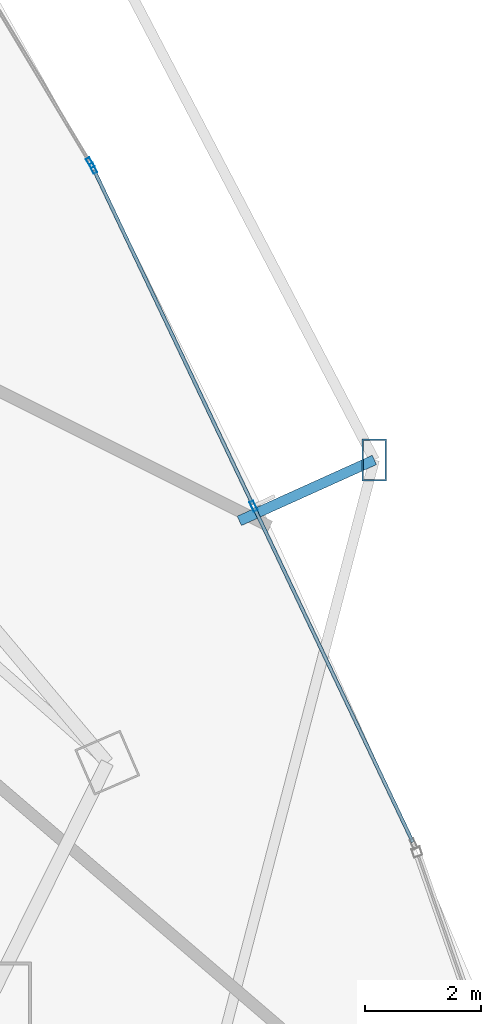
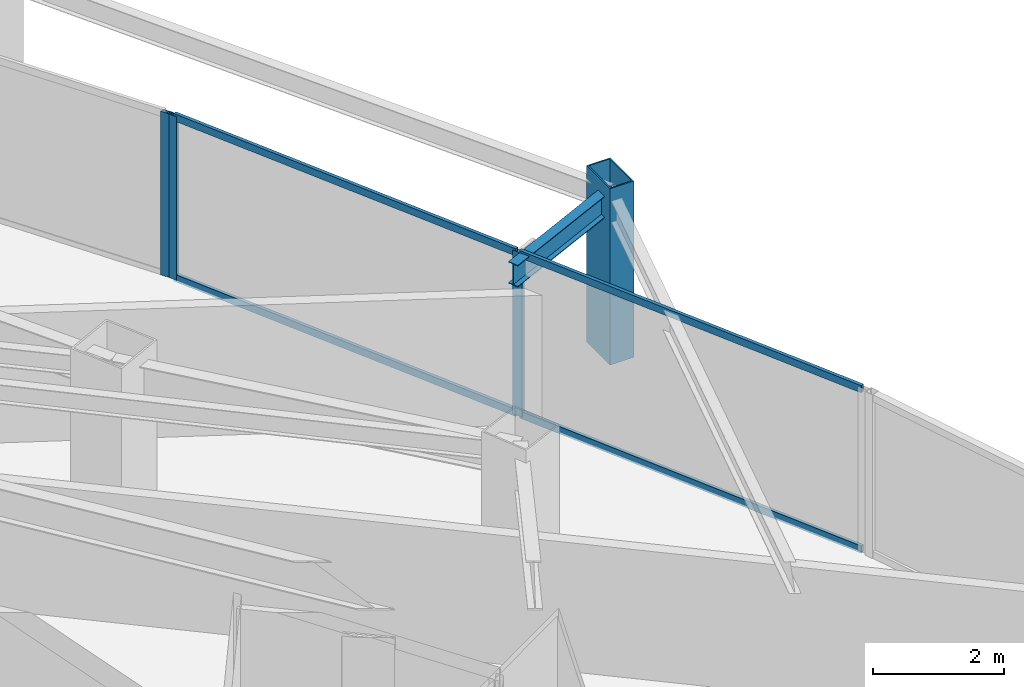
# One storey, part 19 of 35: 8 members, 1 beam, 2 elements without a shape of their own.
"""IFC4 building model written with IfcOpenShell, lengths in metres."""

from ifc_helpers import new_model, si_unit, direction, frame, origin, origin_2d, place, context, subcontext, project, spatial, hollow_rectangle, i_section, extrude, material, layer, layer_set, material_profile, profile_set, type_object, element, aggregate, save


model = new_model("IFC4")

# Units and contexts
model_context = context("Model", 3, precision=1e-05, world=origin(), true_north=direction((0.0, 1.0)))
body_context = subcontext(model_context, "Body", "Model", "MODEL_VIEW")
ifc_project = project(units=[si_unit("LENGTHUNIT", "METRE"), si_unit("AREAUNIT", "SQUARE_METRE"), si_unit("VOLUMEUNIT", "CUBIC_METRE"), si_unit("PLANEANGLEUNIT", "RADIAN"), si_unit("MASSUNIT", "GRAM", prefix="KILO")], contexts=[model_context])

# Site, building, storey
site_placement = place(None, origin())
site = spatial("IfcSite", under=ifc_project, at=site_placement, CompositionType="ELEMENT")
building_placement = place(site_placement, origin())
building = spatial("IfcBuilding", under=site, at=building_placement, Name="Orvanel Arch Residences", CompositionType="ELEMENT")
storey_placement = place(building_placement, frame((0.0, 0.0, 36.800048828125)))
storey = spatial("IfcBuildingStorey", under=building, at=storey_placement, Name="L09", CompositionType="ELEMENT", Elevation=36.800048828125)

# Member
ifc_material_1 = material(Name="Structural steel AS/NZS 3678 Grade 350", Category="steel")
ifc_material_profile_1 = material_profile(ifc_material_1, hollow_rectangle(XDim=0.419921875, YDim=0.719970703125, WallThickness=0.02490234375, at=origin_2d()), Name="RHS720x420x25")
ifc_profile_set_1 = profile_set([ifc_material_profile_1], Name="Structural steel AS/NZS 3678 Grade 350")
member_type_1 = type_object("IfcMemberType", Name="CH-720RHS-EXT", PredefinedType="CHORD", material=ifc_profile_set_1)
member_1_placement = place(storey_placement, frame((58.501953125, 19.7919921875, 0.0), z_axis=(0.0, 0.0, 1.0), x_axis=(1.0, 0.0, 0.0)))
element("IfcMember", 1, at=member_1_placement, inside=storey, type_object=member_type_1, Name="L09 Outer Perimeter Frame Post 09", PredefinedType="CHORD", context=body_context, shape_type="SweptSolid", body=[
    extrude(hollow_rectangle(XDim=0.419921875, YDim=0.719970703125, WallThickness=0.02490234375, at=origin_2d()), origin(), (0.0, 0.0, 1.0), 3.300048828125),
])

# Curtain wall, members
ifc_material_2 = material(Name="Bronze-anodised aluminium AA6063-T6", Category="aluminium")
ifc_layer = layer(ifc_material_2, 0.179931640625)
ifc_layer_set = layer_set([ifc_layer], Name="Bronze-anodised aluminium AA6063-T6")
curtain_wall_type = type_object("IfcCurtainWallType", Name="CW2-LOW-SYS", PredefinedType="NOTDEFINED", material=ifc_layer_set)
curtain_wall_1_placement = place(storey_placement, origin())
curtain_wall_1 = element("IfcCurtainWall", 2, at=curtain_wall_1_placement, inside=storey, type_object=curtain_wall_type, Name="L09 CW2-LOW-SYS Unitised Curtain Wall", PredefinedType="NOTDEFINED")
ifc_material_profile_2 = material_profile(ifc_material_2, hollow_rectangle(XDim=0.070068359375, YDim=0.179931640625, WallThickness=0.00439453125, at=origin_2d()), Name="ALU180x70x4.5")
ifc_profile_set_2 = profile_set([ifc_material_profile_2], Name="Bronze-anodised aluminium AA6063-T6")
member_type_2 = type_object("IfcMemberType", Name="MUL-180x70", PredefinedType="MULLION", material=ifc_profile_set_2)
member_2_placement = place(storey_placement, frame((56.42041015625, 18.9970703125, 0.0), z_axis=(0.0, 0.0, 1.0), x_axis=(-0.903506444237, -0.4285745037, 0.0)))
member_2 = element("IfcMember", 3, at=member_2_placement, type_object=member_type_2, Name="CW-S2 mullion 2", PredefinedType="MULLION", context=body_context, shape_type="SweptSolid", body=[
    extrude(hollow_rectangle(XDim=0.070068359375, YDim=0.179931640625, WallThickness=0.00439453125, at=origin_2d()), origin(), (0.0, 0.0, 1.0), 3.06005859375),
])
member_3_placement = place(storey_placement, frame((53.662109375, 24.812255859375, 0.0), z_axis=(0.0, 0.0, 1.0), x_axis=(-0.903506444237, -0.4285745037, 0.0)))
member_3 = element("IfcMember", 4, at=member_3_placement, type_object=member_type_2, Name="CW-S2 mullion 3", PredefinedType="MULLION", context=body_context, shape_type="SweptSolid", body=[
    extrude(hollow_rectangle(XDim=0.070068359375, YDim=0.179931640625, WallThickness=0.00439453125, at=origin_2d()), origin(), (0.0, 0.0, 1.0), 3.06005859375),
])

# Curtain wall, member
curtain_wall_2_placement = place(storey_placement, origin())
curtain_wall_2 = element("IfcCurtainWall", 5, at=curtain_wall_2_placement, inside=storey, type_object=curtain_wall_type, Name="L09 CW2-LOW-SYS Unitised Curtain Wall", PredefinedType="NOTDEFINED")
member_4_placement = place(storey_placement, frame((53.610107421875, 24.908935546875, 0.0), z_axis=(0.0, 0.0, 1.0), x_axis=(-0.857554559604, -0.514393018326, 0.0)))
member_4 = element("IfcMember", 6, at=member_4_placement, type_object=member_type_2, Name="CW-S2 mullion 1", PredefinedType="MULLION", context=body_context, shape_type="SweptSolid", body=[
    extrude(hollow_rectangle(XDim=0.070068359375, YDim=0.179931640625, WallThickness=0.00439453125, at=origin_2d()), origin(), (0.0, 0.0, 1.0), 3.06005859375),
])
aggregate(curtain_wall_2, [member_4])

# Beam
ifc_material_3 = material(Name="Structural steel AS/NZS 3679.1 Grade 300 (300 MPa)", Category="steel")
ifc_material_profile_3 = material_profile(ifc_material_3, i_section(OverallWidth=0.177978515625, OverallDepth=0.406005859375, WebThickness=0.0078125, FlangeThickness=0.0126953125, at=origin_2d()), Name="410UB59.7")
ifc_profile_set_3 = profile_set([ifc_material_profile_3], Name="Structural steel AS/NZS 3679.1 Grade 300 (300 MPa)")
beam_type = type_object("IfcBeamType", Name="OB-410UB-EXT", PredefinedType="SPANDREL", material=ifc_profile_set_3)
beam_placement = place(storey_placement, frame((56.177978515625, 18.742919921875, 2.85693359375), z_axis=(0.911438944081, 0.41143535484, 0.0), x_axis=(-0.41143535484, 0.911438944081, 0.0)))
element("IfcBeam", 7, at=beam_placement, inside=storey, type_object=beam_type, Name="L09 Outer Frame Radial Tie Beam 09", PredefinedType="SPANDREL", context=body_context, shape_type="SweptSolid", body=[
    extrude(i_section(OverallWidth=0.177978515625, OverallDepth=0.406005859375, WebThickness=0.0078125, FlangeThickness=0.0126953125, at=origin_2d()), origin(), (0.0, 0.0, 1.0), 2.5498046875),
])

# Member
ifc_material_profile_4 = material_profile(ifc_material_2, hollow_rectangle(XDim=0.06005859375, YDim=0.135009765625, WallThickness=0.00390625, at=origin_2d()), Name="ALU135x60x4")
ifc_profile_set_4 = profile_set([ifc_material_profile_4], Name="Bronze-anodised aluminium AA6063-T6")
member_type_3 = type_object("IfcMemberType", Name="TRN-135x60", PredefinedType="USERDEFINED", material=ifc_profile_set_4)
member_5_placement = place(storey_placement, frame((59.1640625, 13.213134765625, 0.030029296875), z_axis=(-0.428572568271, 0.903507362297, 0.0), x_axis=(-0.903507362297, -0.428572568271, 0.0)))
member_5 = element("IfcMember", 8, at=member_5_placement, type_object=member_type_3, Name="CW-S2 transom 1.1", ObjectType="TRANSOM", PredefinedType="USERDEFINED", context=body_context, shape_type="SweptSolid", body=[
    extrude(hollow_rectangle(XDim=0.06005859375, YDim=0.135009765625, WallThickness=0.00390625, at=origin_2d()), origin(), (0.0, 0.0, 1.0), 6.366455078125),
])

member_6_placement = place(storey_placement, frame((59.1640625, 13.213134765625, 3.030029296875), z_axis=(-0.428572568271, 0.903507362297, 0.0), x_axis=(-0.903507362297, -0.428572568271, 0.0)))
member_6 = element("IfcMember", 9, at=member_6_placement, type_object=member_type_3, Name="CW-S2 transom 1.2", ObjectType="TRANSOM", PredefinedType="USERDEFINED", context=body_context, shape_type="SweptSolid", body=[
    extrude(hollow_rectangle(XDim=0.06005859375, YDim=0.135009765625, WallThickness=0.00390625, at=origin_2d()), origin(), (0.0, 0.0, 1.0), 6.366455078125),
])

member_7_placement = place(storey_placement, frame((56.405517578125, 19.028564453125, 0.030029296875), z_axis=(-0.428572568271, 0.903507362297, 0.0), x_axis=(-0.903507362297, -0.428572568271, 0.0)))
member_7 = element("IfcMember", 10, at=member_7_placement, type_object=member_type_3, Name="CW-S2 transom 2.1", ObjectType="TRANSOM", PredefinedType="USERDEFINED", context=body_context, shape_type="SweptSolid", body=[
    extrude(hollow_rectangle(XDim=0.06005859375, YDim=0.135009765625, WallThickness=0.00390625, at=origin_2d()), origin(), (0.0, 0.0, 1.0), 6.366455078125),
])

member_8_placement = place(storey_placement, frame((56.405517578125, 19.028564453125, 3.030029296875), z_axis=(-0.428572568271, 0.903507362297, 0.0), x_axis=(-0.903507362297, -0.428572568271, 0.0)))
member_8 = element("IfcMember", 11, at=member_8_placement, type_object=member_type_3, Name="CW-S2 transom 2.2", ObjectType="TRANSOM", PredefinedType="USERDEFINED", context=body_context, shape_type="SweptSolid", body=[
    extrude(hollow_rectangle(XDim=0.06005859375, YDim=0.135009765625, WallThickness=0.00390625, at=origin_2d()), origin(), (0.0, 0.0, 1.0), 6.366455078125),
])

aggregate(curtain_wall_1, [member_2, member_3, member_5, member_6, member_7, member_8])

save(model, "model.ifc")
